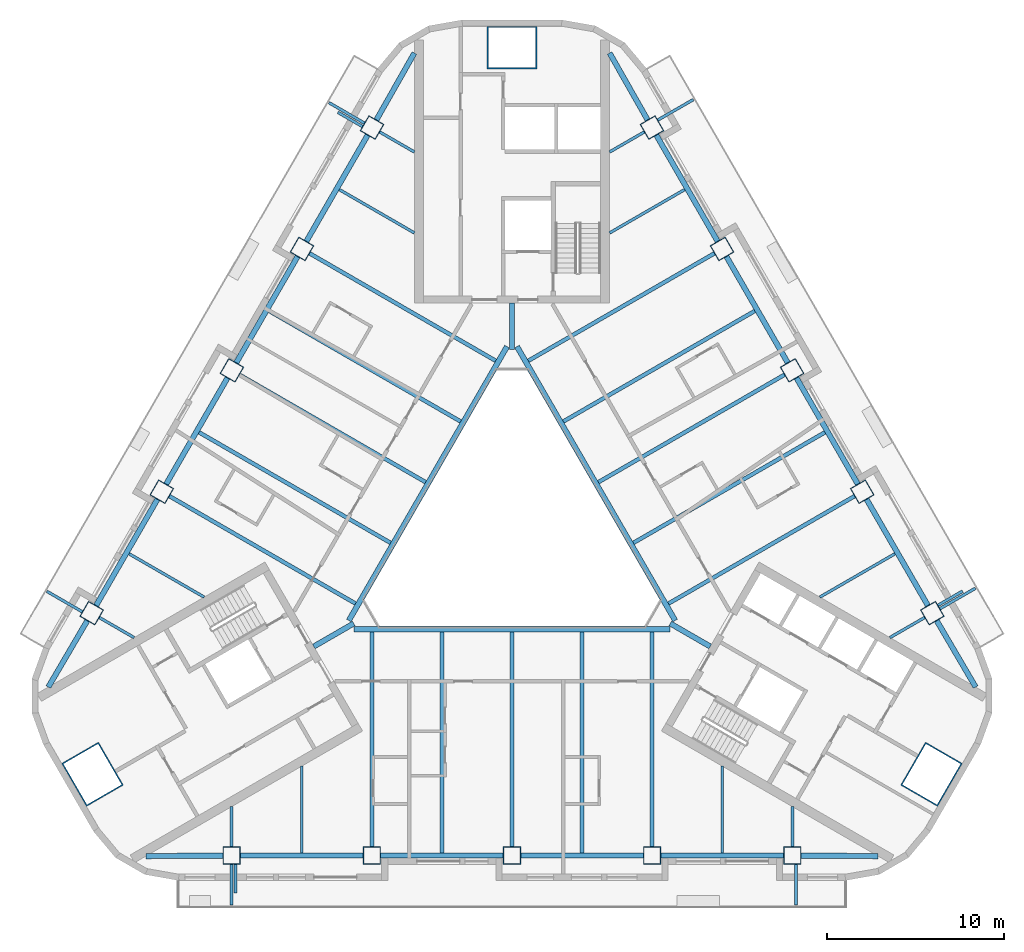
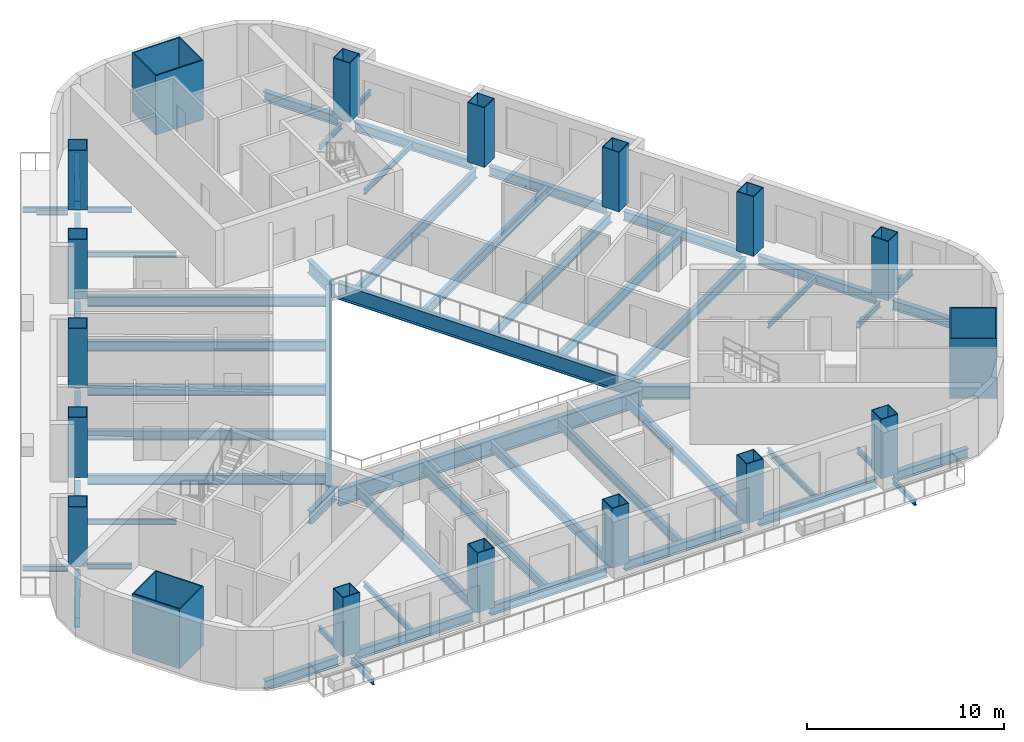
# One storey, part 1 of 13: 60 beams, 18 columns.
"""IFC4 building model written with IfcOpenShell, lengths in metres."""

from ifc_helpers import new_model, si_unit, direction, frame, origin, origin_2d, place, context, subcontext, project, spatial, rectangle, hollow_rectangle, i_section, extrude, material, material_profile, profile_set, type_object, element, save


model = new_model("IFC4")

# Units and contexts
model_context = context("Model", 3, precision=1e-05, world=origin(), true_north=direction((0.0, 1.0)))
body_context = subcontext(model_context, "Body", "Model", "MODEL_VIEW")
ifc_project = project(units=[si_unit("LENGTHUNIT", "METRE"), si_unit("AREAUNIT", "SQUARE_METRE"), si_unit("VOLUMEUNIT", "CUBIC_METRE"), si_unit("PLANEANGLEUNIT", "RADIAN"), si_unit("MASSUNIT", "GRAM", prefix="KILO")], contexts=[model_context])

# Site, building, storey
site_placement = place(None, origin())
site = spatial("IfcSite", under=ifc_project, at=site_placement, CompositionType="ELEMENT")
building_placement = place(site_placement, origin())
building = spatial("IfcBuilding", under=site, at=building_placement, Name="Apuvela Tower Hotel", CompositionType="ELEMENT")
storey_placement = place(building_placement, frame((0.0, 0.0, 57.60009765625)))
storey = spatial("IfcBuildingStorey", under=building, at=storey_placement, Name="L11", CompositionType="ELEMENT", Elevation=57.60009765625)

# Columns
ifc_material_1 = material(Name="Steel S460", Category="steel")
ifc_material_profile_1 = material_profile(ifc_material_1, hollow_rectangle(XDim=2.800048828125, YDim=2.39990234375, WallThickness=0.070068359375, at=origin_2d()), Name="BOX 2800x2400x70")
ifc_material_2 = material(Name="Concrete C80/95", Category="concrete")
ifc_material_profile_2 = material_profile(ifc_material_2, rectangle(XDim=2.659912109375, YDim=2.260009765625, at=origin_2d()), Name="Concrete C80/95 infill")
ifc_profile_set_1 = profile_set([ifc_material_profile_1, ifc_material_profile_2], Name="Steel S460")
column_type_1 = type_object("IfcColumnType", Name="STR-MC mega column BOX 2800x2400x70", PredefinedType="COLUMN", material=ifc_profile_set_1)
for number, where, z_axis, x_axis, name in (
    (1, (0.0, 27.300048828125, 0.0), (0.0, 0.0, 1.0), (1.0, 0.0, 0.0), "Mega column MC2 N"),
    (2, (-23.642578125, -13.64990234375, 0.0), (0.0, 0.0, 1.0), (-0.5, 0.866025403784, 0.0), "Mega column MC2 SW"),
    (3, (23.642578125, -13.64990234375, 0.0), (0.0, 0.0, 1.0), (0.5, 0.866025403784, 0.0), "Mega column MC2 SE"),
):
    element("IfcColumn", number, at=place(storey_placement, frame(where, z_axis=z_axis, x_axis=x_axis)), inside=storey, type_object=column_type_1, Name=name, PredefinedType="COLUMN", context=body_context, shape_type="SweptSolid", body=[
        extrude(hollow_rectangle(XDim=2.800048828125, YDim=2.39990234375, WallThickness=0.070068359375, at=origin_2d()), origin(), (0.0, 0.0, 1.0), 3.699951171875),
    ])
ifc_material_profile_3 = material_profile(ifc_material_1, hollow_rectangle(XDim=1.0, YDim=1.0, WallThickness=0.044921875, at=origin_2d()), Name="BOX 1000x1000x45")
ifc_material_profile_4 = material_profile(ifc_material_2, rectangle(XDim=0.909912109375, YDim=0.909912109375, at=origin_2d()), Name="Concrete C80/95 infill")
ifc_profile_set_2 = profile_set([ifc_material_profile_3, ifc_material_profile_4], Name="Steel S460")
column_type_2 = type_object("IfcColumnType", Name="STR-PC perimeter column BOX 1000x1000x45", PredefinedType="COLUMN", material=ifc_profile_set_2)
for number, where, z_axis, x_axis, name in (
    (4, (-15.800048828125, -18.22998046875, 0.0), (0.0, 0.0, 1.0), (-1.0, 0.0, 0.0), "Perimeter column C2 S1"),
    (5, (-7.89990234375, -18.22998046875, 0.0), (0.0, 0.0, 1.0), (-1.0, 0.0, 0.0), "Perimeter column C2 S2"),
    (6, (0.0, -18.22998046875, 0.0), (0.0, 0.0, 1.0), (-1.0, 0.0, 0.0), "Perimeter column C2 S3"),
    (7, (7.89990234375, -18.22998046875, 0.0), (0.0, 0.0, 1.0), (-1.0, 0.0, 0.0), "Perimeter column C2 S4"),
    (8, (15.800048828125, -18.22998046875, 0.0), (0.0, 0.0, 1.0), (-1.0, 0.0, 0.0), "Perimeter column C2 S5"),
    (9, (23.6875, -4.568115234375, 0.0), (0.0, 0.0, 1.0), (-0.5, 0.866025403784, 0.0), "Perimeter column C2 NE1"),
    (10, (19.737548828125, 2.2734375, 0.0), (0.0, 0.0, 1.0), (-0.5, 0.866025403784, 0.0), "Perimeter column C2 NE2"),
    (11, (15.78759765625, 9.114990234375, 0.0), (0.0, 0.0, 1.0), (-0.5, 0.866025403784, 0.0), "Perimeter column C2 NE3"),
    (12, (11.837646484375, 15.95654296875, 0.0), (0.0, 0.0, 1.0), (-0.5, 0.866025403784, 0.0), "Perimeter column C2 NE4"),
    (13, (7.8876953125, 22.798095703125, 0.0), (0.0, 0.0, 1.0), (-0.5, 0.866025403784, 0.0), "Perimeter column C2 NE5"),
    (14, (-7.8876953125, 22.798095703125, 0.0), (0.0, 0.0, 1.0), (0.5, 0.866025403784, 0.0), "Perimeter column C2 NW1"),
    (15, (-11.837646484375, 15.95654296875, 0.0), (0.0, 0.0, 1.0), (0.5, 0.866025403784, 0.0), "Perimeter column C2 NW2"),
    (16, (-15.78759765625, 9.114990234375, 0.0), (0.0, 0.0, 1.0), (0.5, 0.866025403784, 0.0), "Perimeter column C2 NW3"),
    (17, (-19.737548828125, 2.2734375, 0.0), (0.0, 0.0, 1.0), (0.5, 0.866025403784, 0.0), "Perimeter column C2 NW4"),
    (18, (-23.6875, -4.568115234375, 0.0), (0.0, 0.0, 1.0), (0.5, 0.866025403784, 0.0), "Perimeter column C2 NW5"),
):
    element("IfcColumn", number, at=place(storey_placement, frame(where, z_axis=z_axis, x_axis=x_axis)), inside=storey, type_object=column_type_2, Name=name, PredefinedType="COLUMN", context=body_context, shape_type="SweptSolid", body=[
        extrude(hollow_rectangle(XDim=1.0, YDim=1.0, WallThickness=0.044921875, at=origin_2d()), origin(), (0.0, 0.0, 1.0), 3.699951171875),
    ])

# Beams
ifc_material_3 = material(Name="Steel S355", Category="steel")
ifc_material_profile_5 = material_profile(ifc_material_3, i_section(OverallWidth=0.159912109375, OverallDepth=0.330078125, WebThickness=0.007568359375, FlangeThickness=0.011474609375, at=origin_2d()), Name="IPE 330")
ifc_profile_set_3 = profile_set([ifc_material_profile_5], Name="Steel S355")
beam_type_1 = type_object("IfcBeamType", Name="ENV-BALCONY-BEAM-IPE330", PredefinedType="BEAM", material=ifc_profile_set_3)
beam_1_placement = place(storey_placement, frame((-15.800048828125, -18.72998046875, -0.315185546875), z_axis=(0.0, -1.0, 0.0), x_axis=(1.0, 0.0, 0.0)))
element("IfcBeam", 19, at=beam_1_placement, inside=storey, type_object=beam_type_1, Name="Balcony cantilever beam S1 L11", PredefinedType="BEAM", context=body_context, shape_type="SweptSolid", body=[
    extrude(i_section(OverallWidth=0.159912109375, OverallDepth=0.330078125, WebThickness=0.007568359375, FlangeThickness=0.011474609375, at=origin_2d()), origin(), (0.0, 0.0, 1.0), 2.300048828125),
])
beam_2_placement = place(storey_placement, frame((-15.580078125, -18.72998046875, -0.315185546875), z_axis=(0.0, -1.0, 0.0), x_axis=(1.0, 0.0, 0.0)))
element("IfcBeam", 20, at=beam_2_placement, inside=storey, type_object=beam_type_1, Name="Balcony cantilever beam S2 L11", PredefinedType="BEAM", context=body_context, shape_type="SweptSolid", body=[
    extrude(i_section(OverallWidth=0.159912109375, OverallDepth=0.330078125, WebThickness=0.007568359375, FlangeThickness=0.011474609375, at=origin_2d()), origin(), (0.0, 0.0, 1.0), 1.60009765625),
])
for number, where, z_axis, x_axis, name in (
    (21, (16.0, -18.72998046875, -0.315185546875), (0.0, -1.0, 0.0), (1.0, 0.0, 0.0), "Balcony cantilever beam S3 L11"),
    (22, (24.12060546875, -4.318115234375, -0.315185546875), (0.866053019151, 0.499952165731, 0.0), (-0.499952165731, 0.866053019151, 0.0), "Balcony cantilever beam NE1 L11"),
):
    element("IfcBeam", number, at=place(storey_placement, frame(where, z_axis=z_axis, x_axis=x_axis)), inside=storey, type_object=beam_type_1, Name=name, PredefinedType="BEAM", context=body_context, shape_type="SweptSolid", body=[
        extrude(i_section(OverallWidth=0.159912109375, OverallDepth=0.330078125, WebThickness=0.007568359375, FlangeThickness=0.011474609375, at=origin_2d()), origin(), (0.0, 0.0, 1.0), 2.300048828125),
    ])
beam_3_placement = place(storey_placement, frame((24.0107421875, -4.127685546875, -0.315185546875), z_axis=(0.865989903783, 0.500061482766, 0.0), x_axis=(-0.500061482766, 0.865989903783, 0.0)))
element("IfcBeam", 23, at=beam_3_placement, inside=storey, type_object=beam_type_1, Name="Balcony cantilever beam NE2 L11", PredefinedType="BEAM", context=body_context, shape_type="SweptSolid", body=[
    extrude(i_section(OverallWidth=0.159912109375, OverallDepth=0.330078125, WebThickness=0.007568359375, FlangeThickness=0.011474609375, at=origin_2d()), origin(), (0.0, 0.0, 1.0), 1.599853515625),
])
beam_4_placement = place(storey_placement, frame((8.220703125, 23.221435546875, -0.315185546875), z_axis=(0.86602648383, 0.499998129301, 0.0), x_axis=(-0.499998129301, 0.86602648383, 0.0)))
element("IfcBeam", 24, at=beam_4_placement, inside=storey, type_object=beam_type_1, Name="Balcony cantilever beam NE3 L11", PredefinedType="BEAM", context=body_context, shape_type="SweptSolid", body=[
    extrude(i_section(OverallWidth=0.159912109375, OverallDepth=0.330078125, WebThickness=0.007568359375, FlangeThickness=0.011474609375, at=origin_2d()), origin(), (0.0, 0.0, 1.0), 2.2998046875),
])
beam_5_placement = place(storey_placement, frame((-8.32080078125, 23.048095703125, -0.315185546875), z_axis=(-0.865980515519, 0.500077740698, 0.0), x_axis=(-0.500077740698, -0.865980515519, 0.0)))
element("IfcBeam", 25, at=beam_5_placement, inside=storey, type_object=beam_type_1, Name="Balcony cantilever beam NW1 L11", PredefinedType="BEAM", context=body_context, shape_type="SweptSolid", body=[
    extrude(i_section(OverallWidth=0.159912109375, OverallDepth=0.330078125, WebThickness=0.007568359375, FlangeThickness=0.011474609375, at=origin_2d()), origin(), (0.0, 0.0, 1.0), 2.300048828125),
])
beam_6_placement = place(storey_placement, frame((-8.4306640625, 22.857666015625, -0.315185546875), z_axis=(-0.866028054938, 0.499995408039, 0.0), x_axis=(-0.499995408039, -0.866028054938, 0.0)))
element("IfcBeam", 26, at=beam_6_placement, inside=storey, type_object=beam_type_1, Name="Balcony cantilever beam NW2 L11", PredefinedType="BEAM", context=body_context, shape_type="SweptSolid", body=[
    extrude(i_section(OverallWidth=0.159912109375, OverallDepth=0.330078125, WebThickness=0.007568359375, FlangeThickness=0.011474609375, at=origin_2d()), origin(), (0.0, 0.0, 1.0), 1.60009765625),
])
beam_7_placement = place(storey_placement, frame((-24.220703125, -4.491455078125, -0.315185546875), z_axis=(-0.865980515519, 0.500077740698, 0.0), x_axis=(-0.500077740698, -0.865980515519, 0.0)))
element("IfcBeam", 27, at=beam_7_placement, inside=storey, type_object=beam_type_1, Name="Balcony cantilever beam NW3 L11", PredefinedType="BEAM", context=body_context, shape_type="SweptSolid", body=[
    extrude(i_section(OverallWidth=0.159912109375, OverallDepth=0.330078125, WebThickness=0.007568359375, FlangeThickness=0.011474609375, at=origin_2d()), origin(), (0.0, 0.0, 1.0), 2.300048828125),
])
ifc_material_profile_6 = material_profile(ifc_material_3, i_section(OverallWidth=0.159912109375, OverallDepth=0.330078125, WebThickness=0.007568359375, FlangeThickness=0.011474609375, at=origin_2d()), Name="IPE 330")
ifc_profile_set_4 = profile_set([ifc_material_profile_6], Name="Steel S355")
beam_type_2 = type_object("IfcBeamType", Name="STR-B floor beam IPE 330", PredefinedType="BEAM", material=ifc_profile_set_4)
beam_8_placement = place(storey_placement, frame((23.254638671875, -4.818115234375, -0.315185546875), z_axis=(-0.865991034588, -0.500059524469, 0.0), x_axis=(0.500059524469, -0.865991034588, 0.0)))
element("IfcBeam", 28, at=beam_8_placement, inside=storey, type_object=beam_type_2, Name="Floor beam B1 NE1", PredefinedType="BEAM", context=body_context, shape_type="SweptSolid", body=[
    extrude(i_section(OverallWidth=0.159912109375, OverallDepth=0.330078125, WebThickness=0.007568359375, FlangeThickness=0.011474609375, at=origin_2d()), origin(), (0.0, 0.0, 1.0), 2.257080078125),
])
for number, where, z_axis, x_axis, name in (
    (29, (21.582763671875, -1.222412109375, -0.315185546875), (-0.866015056278, -0.500017921979, 0.0), (0.500017921979, -0.866015056278, 0.0), "Floor beam B1 NE2"),
    (30, (9.732666015625, 19.302490234375, -0.315185546875), (-0.866015056278, -0.500017921979, 0.0), (0.500017921979, -0.866015056278, 0.0), "Floor beam B1 NE8"),
):
    element("IfcBeam", number, at=place(storey_placement, frame(where, z_axis=z_axis, x_axis=x_axis)), inside=storey, type_object=beam_type_2, Name=name, PredefinedType="BEAM", context=body_context, shape_type="SweptSolid", body=[
        extrude(i_section(OverallWidth=0.159912109375, OverallDepth=0.330078125, WebThickness=0.007568359375, FlangeThickness=0.011474609375, at=origin_2d()), origin(), (0.0, 0.0, 1.0), 4.887451171875),
    ])
for number, where, z_axis, x_axis, name in (
    (31, (7.45458984375, 22.548095703125, -0.315185546875), (-0.86603787505, -0.499978398512, 0.0), (0.499978398512, -0.86603787505, 0.0), "Floor beam B1 NE9"),
    (32, (-7.45458984375, 22.548095703125, -0.315185546875), (0.86603787505, -0.499978398512, 0.0), (0.499978398512, 0.86603787505, 0.0), "Floor beam B1 NW1"),
):
    element("IfcBeam", number, at=place(storey_placement, frame(where, z_axis=z_axis, x_axis=x_axis)), inside=storey, type_object=beam_type_2, Name=name, PredefinedType="BEAM", context=body_context, shape_type="SweptSolid", body=[
        extrude(i_section(OverallWidth=0.159912109375, OverallDepth=0.330078125, WebThickness=0.007568359375, FlangeThickness=0.011474609375, at=origin_2d()), origin(), (0.0, 0.0, 1.0), 2.2568359375),
    ])
for number, where, z_axis, x_axis, name in (
    (33, (-9.732666015625, 19.302490234375, -0.315185546875), (0.866015056278, -0.500017921979, 0.0), (0.500017921979, 0.866015056278, 0.0), "Floor beam B1 NW2"),
    (34, (-21.582763671875, -1.222412109375, -0.315185546875), (0.866015056278, -0.500017921979, 0.0), (0.500017921979, 0.866015056278, 0.0), "Floor beam B1 NW8"),
):
    element("IfcBeam", number, at=place(storey_placement, frame(where, z_axis=z_axis, x_axis=x_axis)), inside=storey, type_object=beam_type_2, Name=name, PredefinedType="BEAM", context=body_context, shape_type="SweptSolid", body=[
        extrude(i_section(OverallWidth=0.159912109375, OverallDepth=0.330078125, WebThickness=0.007568359375, FlangeThickness=0.011474609375, at=origin_2d()), origin(), (0.0, 0.0, 1.0), 4.887451171875),
    ])
for number, where, z_axis, x_axis, name in (
    (35, (-23.254638671875, -4.818115234375, -0.315185546875), (0.865991034588, -0.500059524469, 0.0), (0.500059524469, 0.865991034588, 0.0), "Floor beam B1 NW9"),
    (36, (-15.800048828125, -17.72998046875, -0.315185546875), (0.0, 1.0, 0.0), (-1.0, 0.0, 0.0), "Floor beam B1 S1"),
):
    element("IfcBeam", number, at=place(storey_placement, frame(where, z_axis=z_axis, x_axis=x_axis)), inside=storey, type_object=beam_type_2, Name=name, PredefinedType="BEAM", context=body_context, shape_type="SweptSolid", body=[
        extrude(i_section(OverallWidth=0.159912109375, OverallDepth=0.330078125, WebThickness=0.007568359375, FlangeThickness=0.011474609375, at=origin_2d()), origin(), (0.0, 0.0, 1.0), 2.257080078125),
    ])
for number, where, z_axis, x_axis, name in (
    (37, (-11.85009765625, -18.080078125, -0.315185546875), (0.0, 1.0, 0.0), (-1.0, 0.0, 0.0), "Floor beam B1 S2"),
    (38, (11.85009765625, -18.080078125, -0.315185546875), (0.0, 1.0, 0.0), (-1.0, 0.0, 0.0), "Floor beam B1 S8"),
):
    element("IfcBeam", number, at=place(storey_placement, frame(where, z_axis=z_axis, x_axis=x_axis)), inside=storey, type_object=beam_type_2, Name=name, PredefinedType="BEAM", context=body_context, shape_type="SweptSolid", body=[
        extrude(i_section(OverallWidth=0.159912109375, OverallDepth=0.330078125, WebThickness=0.007568359375, FlangeThickness=0.011474609375, at=origin_2d()), origin(), (0.0, 0.0, 1.0), 4.8876953125),
    ])
beam_9_placement = place(storey_placement, frame((15.800048828125, -17.72998046875, -0.315185546875), z_axis=(0.0, 1.0, 0.0), x_axis=(-1.0, 0.0, 0.0)))
element("IfcBeam", 39, at=beam_9_placement, inside=storey, type_object=beam_type_2, Name="Floor beam B1 S9", PredefinedType="BEAM", context=body_context, shape_type="SweptSolid", body=[
    extrude(i_section(OverallWidth=0.159912109375, OverallDepth=0.330078125, WebThickness=0.007568359375, FlangeThickness=0.011474609375, at=origin_2d()), origin(), (0.0, 0.0, 1.0), 2.257080078125),
])
ifc_material_profile_7 = material_profile(ifc_material_3, i_section(OverallWidth=0.219970703125, OverallDepth=0.60009765625, WebThickness=0.011962890625, FlangeThickness=0.01904296875, at=origin_2d()), Name="IPE 600")
ifc_profile_set_5 = profile_set([ifc_material_profile_7], Name="Steel S355")
beam_type_3 = type_object("IfcBeamType", Name="STR-B floor beam IPE 600", PredefinedType="BEAM", material=ifc_profile_set_5)
beam_10_placement = place(storey_placement, frame((19.3046875, 2.0234375, -0.4501953125), z_axis=(-0.866027098151, -0.499997065259, 0.0), x_axis=(0.499997065259, -0.866027098151, 0.0)))
element("IfcBeam", 40, at=beam_10_placement, inside=storey, type_object=beam_type_3, Name="Floor beam B8 NE3", PredefinedType="BEAM", context=body_context, shape_type="SweptSolid", body=[
    extrude(i_section(OverallWidth=0.219970703125, OverallDepth=0.60009765625, WebThickness=0.011962890625, FlangeThickness=0.01904296875, at=origin_2d()), origin(), (0.0, 0.0, 1.0), 12.10791015625),
])
beam_11_placement = place(storey_placement, frame((17.6328125, 5.619140625, -0.4501953125), z_axis=(-0.866027636335, -0.499996133089, 0.0), x_axis=(0.499996133089, -0.866027636335, 0.0)))
element("IfcBeam", 41, at=beam_11_placement, inside=storey, type_object=beam_type_3, Name="Floor beam B8 NE4", PredefinedType="BEAM", context=body_context, shape_type="SweptSolid", body=[
    extrude(i_section(OverallWidth=0.219970703125, OverallDepth=0.60009765625, WebThickness=0.011962890625, FlangeThickness=0.01904296875, at=origin_2d()), origin(), (0.0, 0.0, 1.0), 12.4580078125),
])
beam_12_placement = place(storey_placement, frame((15.3544921875, 8.864990234375, -0.4501953125), z_axis=(-0.866022057176, -0.500005796451, 0.0), x_axis=(0.500005796451, -0.866022057176, 0.0)))
element("IfcBeam", 42, at=beam_12_placement, inside=storey, type_object=beam_type_3, Name="Floor beam B8 NE5", PredefinedType="BEAM", context=body_context, shape_type="SweptSolid", body=[
    extrude(i_section(OverallWidth=0.219970703125, OverallDepth=0.60009765625, WebThickness=0.011962890625, FlangeThickness=0.01904296875, at=origin_2d()), origin(), (0.0, 0.0, 1.0), 12.107666015625),
])
beam_13_placement = place(storey_placement, frame((13.6826171875, 12.460693359375, -0.4501953125), z_axis=(-0.866022737053, -0.500004618886, 0.0), x_axis=(0.500004618886, -0.866022737053, 0.0)))
element("IfcBeam", 43, at=beam_13_placement, inside=storey, type_object=beam_type_3, Name="Floor beam B8 NE6", PredefinedType="BEAM", context=body_context, shape_type="SweptSolid", body=[
    extrude(i_section(OverallWidth=0.219970703125, OverallDepth=0.60009765625, WebThickness=0.011962890625, FlangeThickness=0.01904296875, at=origin_2d()), origin(), (0.0, 0.0, 1.0), 12.4580078125),
])
for number, where, z_axis, x_axis, name in (
    (44, (11.404541015625, 15.70654296875, -0.4501953125), (-0.866027098151, -0.499997065259, 0.0), (0.499997065259, -0.866027098151, 0.0), "Floor beam B8 NE7"),
    (45, (-11.404541015625, 15.70654296875, -0.4501953125), (0.866027098151, -0.499997065259, 0.0), (0.499997065259, 0.866027098151, 0.0), "Floor beam B8 NW3"),
):
    element("IfcBeam", number, at=place(storey_placement, frame(where, z_axis=z_axis, x_axis=x_axis)), inside=storey, type_object=beam_type_3, Name=name, PredefinedType="BEAM", context=body_context, shape_type="SweptSolid", body=[
        extrude(i_section(OverallWidth=0.219970703125, OverallDepth=0.60009765625, WebThickness=0.011962890625, FlangeThickness=0.01904296875, at=origin_2d()), origin(), (0.0, 0.0, 1.0), 12.10791015625),
    ])
beam_14_placement = place(storey_placement, frame((-13.6826171875, 12.460693359375, -0.4501953125), z_axis=(0.866022737053, -0.500004618886, 0.0), x_axis=(0.500004618886, 0.866022737053, 0.0)))
element("IfcBeam", 46, at=beam_14_placement, inside=storey, type_object=beam_type_3, Name="Floor beam B8 NW4", PredefinedType="BEAM", context=body_context, shape_type="SweptSolid", body=[
    extrude(i_section(OverallWidth=0.219970703125, OverallDepth=0.60009765625, WebThickness=0.011962890625, FlangeThickness=0.01904296875, at=origin_2d()), origin(), (0.0, 0.0, 1.0), 12.4580078125),
])
beam_15_placement = place(storey_placement, frame((-15.3544921875, 8.864990234375, -0.4501953125), z_axis=(0.866022057176, -0.500005796451, 0.0), x_axis=(0.500005796451, 0.866022057176, 0.0)))
element("IfcBeam", 47, at=beam_15_placement, inside=storey, type_object=beam_type_3, Name="Floor beam B8 NW5", PredefinedType="BEAM", context=body_context, shape_type="SweptSolid", body=[
    extrude(i_section(OverallWidth=0.219970703125, OverallDepth=0.60009765625, WebThickness=0.011962890625, FlangeThickness=0.01904296875, at=origin_2d()), origin(), (0.0, 0.0, 1.0), 12.107666015625),
])
beam_16_placement = place(storey_placement, frame((-17.6328125, 5.619140625, -0.4501953125), z_axis=(0.866027636335, -0.499996133089, 0.0), x_axis=(0.499996133089, 0.866027636335, 0.0)))
element("IfcBeam", 48, at=beam_16_placement, inside=storey, type_object=beam_type_3, Name="Floor beam B8 NW6", PredefinedType="BEAM", context=body_context, shape_type="SweptSolid", body=[
    extrude(i_section(OverallWidth=0.219970703125, OverallDepth=0.60009765625, WebThickness=0.011962890625, FlangeThickness=0.01904296875, at=origin_2d()), origin(), (0.0, 0.0, 1.0), 12.4580078125),
])
for number, where, z_axis, x_axis, name in (
    (49, (-19.3046875, 2.0234375, -0.4501953125), (0.866027098151, -0.499997065259, 0.0), (0.499997065259, 0.866027098151, 0.0), "Floor beam B8 NW7"),
    (50, (-7.89990234375, -17.72998046875, -0.4501953125), (0.0, 1.0, 0.0), (-1.0, 0.0, 0.0), "Floor beam B8 S3"),
):
    element("IfcBeam", number, at=place(storey_placement, frame(where, z_axis=z_axis, x_axis=x_axis)), inside=storey, type_object=beam_type_3, Name=name, PredefinedType="BEAM", context=body_context, shape_type="SweptSolid", body=[
        extrude(i_section(OverallWidth=0.219970703125, OverallDepth=0.60009765625, WebThickness=0.011962890625, FlangeThickness=0.01904296875, at=origin_2d()), origin(), (0.0, 0.0, 1.0), 12.10791015625),
    ])
beam_17_placement = place(storey_placement, frame((-3.949951171875, -18.080078125, -0.4501953125), z_axis=(0.0, 1.0, 0.0), x_axis=(-1.0, 0.0, 0.0)))
element("IfcBeam", 51, at=beam_17_placement, inside=storey, type_object=beam_type_3, Name="Floor beam B8 S4", PredefinedType="BEAM", context=body_context, shape_type="SweptSolid", body=[
    extrude(i_section(OverallWidth=0.219970703125, OverallDepth=0.60009765625, WebThickness=0.011962890625, FlangeThickness=0.01904296875, at=origin_2d()), origin(), (0.0, 0.0, 1.0), 12.4580078125),
])
beam_18_placement = place(storey_placement, frame((0.0, -17.72998046875, -0.4501953125), z_axis=(0.0, 1.0, 0.0), x_axis=(-1.0, 0.0, 0.0)))
element("IfcBeam", 52, at=beam_18_placement, inside=storey, type_object=beam_type_3, Name="Floor beam B8 S5", PredefinedType="BEAM", context=body_context, shape_type="SweptSolid", body=[
    extrude(i_section(OverallWidth=0.219970703125, OverallDepth=0.60009765625, WebThickness=0.011962890625, FlangeThickness=0.01904296875, at=origin_2d()), origin(), (0.0, 0.0, 1.0), 12.10791015625),
])
beam_19_placement = place(storey_placement, frame((3.949951171875, -18.080078125, -0.4501953125), z_axis=(0.0, 1.0, 0.0), x_axis=(-1.0, 0.0, 0.0)))
element("IfcBeam", 53, at=beam_19_placement, inside=storey, type_object=beam_type_3, Name="Floor beam B8 S6", PredefinedType="BEAM", context=body_context, shape_type="SweptSolid", body=[
    extrude(i_section(OverallWidth=0.219970703125, OverallDepth=0.60009765625, WebThickness=0.011962890625, FlangeThickness=0.01904296875, at=origin_2d()), origin(), (0.0, 0.0, 1.0), 12.4580078125),
])
beam_20_placement = place(storey_placement, frame((7.89990234375, -17.72998046875, -0.4501953125), z_axis=(0.0, 1.0, 0.0), x_axis=(-1.0, 0.0, 0.0)))
element("IfcBeam", 54, at=beam_20_placement, inside=storey, type_object=beam_type_3, Name="Floor beam B8 S7", PredefinedType="BEAM", context=body_context, shape_type="SweptSolid", body=[
    extrude(i_section(OverallWidth=0.219970703125, OverallDepth=0.60009765625, WebThickness=0.011962890625, FlangeThickness=0.01904296875, at=origin_2d()), origin(), (0.0, 0.0, 1.0), 12.10791015625),
])
ifc_material_profile_8 = material_profile(ifc_material_3, i_section(OverallWidth=0.302001953125, OverallDepth=1.008056640625, WebThickness=0.02099609375, FlangeThickness=0.0400390625, at=origin_2d()), Name="HE 1000 M")
ifc_profile_set_6 = profile_set([ifc_material_profile_8], Name="Steel S355")
beam_type_4 = type_object("IfcBeamType", Name="STR-G atrium ring girder HE 1000 M", PredefinedType="BEAM", material=ifc_profile_set_6)
for number, where, z_axis, x_axis, name in (
    (55, (-0.28076171875, 10.455810546875, -0.654052734375), (-0.500000611842, -0.866025050537, 0.0), (0.866025050537, -0.500000611842, 0.0), "Atrium ring girder G1 N-SW"),
    (56, (-8.91455078125, -5.470947265625, -0.654052734375), (1.0, 0.0, 0.0), (0.0, 1.0, 0.0), "Atrium ring girder G1 SW-SE"),
    (57, (9.1953125, -4.984619140625, -0.654052734375), (-0.500000611842, 0.866025050537, 0.0), (-0.866025050537, -0.500000611842, 0.0), "Atrium ring girder G1 SE-N"),
):
    element("IfcBeam", number, at=place(storey_placement, frame(where, z_axis=z_axis, x_axis=x_axis)), inside=storey, type_object=beam_type_4, Name=name, PredefinedType="BEAM", context=body_context, shape_type="SweptSolid", body=[
        extrude(i_section(OverallWidth=0.302001953125, OverallDepth=1.008056640625, WebThickness=0.02099609375, FlangeThickness=0.0400390625, at=origin_2d()), origin(), (0.0, 0.0, 1.0), 17.8291015625),
    ])
ifc_material_profile_9 = material_profile(ifc_material_3, i_section(OverallWidth=0.300048828125, OverallDepth=0.800048828125, WebThickness=0.017578125, FlangeThickness=0.032958984375, at=origin_2d()), Name="HE 800 B")
ifc_profile_set_7 = profile_set([ifc_material_profile_9], Name="Steel S355")
beam_type_5 = type_object("IfcBeamType", Name="STR-GT core tie beam HE 800 B", PredefinedType="BEAM", material=ifc_profile_set_7)
for number, where, z_axis, x_axis, name in (
    (58, (0.0, 12.89990234375, -0.550048828125), (0.0, -1.0, 0.0), (1.0, 0.0, 0.0), "Core tie beam GT1 N"),
    (59, (-11.171630859375, -6.449951171875, -0.550048828125), (0.865997922154, 0.500047596559, 0.0), (-0.500047596559, 0.865997922154, 0.0), "Core tie beam GT1 SW"),
    (60, (11.171630859375, -6.449951171875, -0.550048828125), (-0.865997922154, 0.500047596559, 0.0), (-0.500047596559, -0.865997922154, 0.0), "Core tie beam GT1 SE"),
):
    element("IfcBeam", number, at=place(storey_placement, frame(where, z_axis=z_axis, x_axis=x_axis)), inside=storey, type_object=beam_type_5, Name=name, PredefinedType="BEAM", context=body_context, shape_type="SweptSolid", body=[
        extrude(i_section(OverallWidth=0.300048828125, OverallDepth=0.800048828125, WebThickness=0.017578125, FlangeThickness=0.032958984375, at=origin_2d()), origin(), (0.0, 0.0, 1.0), 2.599853515625),
    ])
ifc_material_profile_10 = material_profile(ifc_material_3, i_section(OverallWidth=0.300048828125, OverallDepth=0.590087890625, WebThickness=0.012939453125, FlangeThickness=0.02490234375, at=origin_2d()), Name="HE 600 A")
ifc_profile_set_8 = profile_set([ifc_material_profile_10], Name="Steel S355")
beam_type_6 = type_object("IfcBeamType", Name="STR-SB spandrel beam HE 600 A", PredefinedType="SPANDREL", material=ifc_profile_set_8)
beam_21_placement = place(storey_placement, frame((-15.300048828125, -18.22998046875, -0.445068359375), z_axis=(1.0, 0.0, 0.0), x_axis=(0.0, 1.0, 0.0)))
element("IfcBeam", 61, at=beam_21_placement, inside=storey, type_object=beam_type_6, Name="Spandrel beam SB2 S1", PredefinedType="SPANDREL", context=body_context, shape_type="SweptSolid", body=[
    extrude(i_section(OverallWidth=0.300048828125, OverallDepth=0.590087890625, WebThickness=0.012939453125, FlangeThickness=0.02490234375, at=origin_2d()), origin(), (0.0, 0.0, 1.0), 6.900146484375),
])
for number, where, z_axis, x_axis, name in (
    (62, (-7.39990234375, -18.22998046875, -0.445068359375), (1.0, 0.0, 0.0), (0.0, 1.0, 0.0), "Spandrel beam SB2 S2"),
    (63, (0.5, -18.22998046875, -0.445068359375), (1.0, 0.0, 0.0), (0.0, 1.0, 0.0), "Spandrel beam SB2 S3"),
):
    element("IfcBeam", number, at=place(storey_placement, frame(where, z_axis=z_axis, x_axis=x_axis)), inside=storey, type_object=beam_type_6, Name=name, PredefinedType="SPANDREL", context=body_context, shape_type="SweptSolid", body=[
        extrude(i_section(OverallWidth=0.300048828125, OverallDepth=0.590087890625, WebThickness=0.012939453125, FlangeThickness=0.02490234375, at=origin_2d()), origin(), (0.0, 0.0, 1.0), 6.89990234375),
    ])
beam_22_placement = place(storey_placement, frame((8.39990234375, -18.22998046875, -0.445068359375), z_axis=(1.0, 0.0, 0.0), x_axis=(0.0, 1.0, 0.0)))
element("IfcBeam", 64, at=beam_22_placement, inside=storey, type_object=beam_type_6, Name="Spandrel beam SB2 S4", PredefinedType="SPANDREL", context=body_context, shape_type="SweptSolid", body=[
    extrude(i_section(OverallWidth=0.300048828125, OverallDepth=0.590087890625, WebThickness=0.012939453125, FlangeThickness=0.02490234375, at=origin_2d()), origin(), (0.0, 0.0, 1.0), 6.900146484375),
])
for number, where, z_axis, x_axis, name in (
    (65, (23.4375, -4.13525390625, -0.445068359375), (-0.499994024137, 0.866028853923, 0.0), (-0.866028853923, -0.499994024137, 0.0), "Spandrel beam SB2 NE1"),
    (66, (19.487548828125, 2.706298828125, -0.445068359375), (-0.499994024137, 0.866028853923, 0.0), (-0.866028853923, -0.499994024137, 0.0), "Spandrel beam SB2 NE2"),
    (67, (15.53759765625, 9.548095703125, -0.445068359375), (-0.499994024137, 0.866028853923, 0.0), (-0.866028853923, -0.499994024137, 0.0), "Spandrel beam SB2 NE3"),
    (68, (11.587646484375, 16.3896484375, -0.445068359375), (-0.499994024137, 0.866028853923, 0.0), (-0.866028853923, -0.499994024137, 0.0), "Spandrel beam SB2 NE4"),
    (69, (-8.1376953125, 22.365234375, -0.445068359375), (-0.499994024137, -0.866028853923, 0.0), (0.866028853923, -0.499994024137, 0.0), "Spandrel beam SB2 NW1"),
    (70, (-12.087646484375, 15.523681640625, -0.445068359375), (-0.499994024137, -0.866028853923, 0.0), (0.866028853923, -0.499994024137, 0.0), "Spandrel beam SB2 NW2"),
    (71, (-16.03759765625, 8.681884765625, -0.445068359375), (-0.499994024137, -0.866028853923, 0.0), (0.866028853923, -0.499994024137, 0.0), "Spandrel beam SB2 NW3"),
    (72, (-19.987548828125, 1.84033203125, -0.445068359375), (-0.499994024137, -0.866028853923, 0.0), (0.866028853923, -0.499994024137, 0.0), "Spandrel beam SB2 NW4"),
):
    element("IfcBeam", number, at=place(storey_placement, frame(where, z_axis=z_axis, x_axis=x_axis)), inside=storey, type_object=beam_type_6, Name=name, PredefinedType="SPANDREL", context=body_context, shape_type="SweptSolid", body=[
        extrude(i_section(OverallWidth=0.300048828125, OverallDepth=0.590087890625, WebThickness=0.012939453125, FlangeThickness=0.02490234375, at=origin_2d()), origin(), (0.0, 0.0, 1.0), 6.89990234375),
    ])
for number, where, z_axis, x_axis, name in (
    (73, (-16.300048828125, -18.2333984375, -0.445068359375), (-0.999976372141, -0.00687423888, 0.0), (0.00687423888, -0.999976372141, 0.0), "Spandrel beam SB2 S1-SW"),
    (74, (16.300048828125, -18.2333984375, -0.445068359375), (0.999976372141, -0.00687423888, 0.0), (0.00687423888, 0.999976372141, 0.0), "Spandrel beam SB2 S5-SE"),
    (75, (23.940673828125, -4.99951171875, -0.445068359375), (0.505943625762, -0.862566546738, 0.0), (0.862566546738, 0.505943625762, 0.0), "Spandrel beam SB2 NE1-SE"),
    (76, (7.640625, 23.23291015625, -0.445068359375), (-0.494050066642, 0.869433454412, 0.0), (-0.869433454412, -0.494050066642, 0.0), "Spandrel beam SB2 NE5-N"),
    (77, (-7.640625, 23.23291015625, -0.445068359375), (0.494050066642, 0.869433454412, 0.0), (-0.869433454412, 0.494050066642, 0.0), "Spandrel beam SB2 NW1-N"),
    (78, (-23.940673828125, -4.99951171875, -0.445068359375), (-0.505943625762, -0.862566546738, 0.0), (0.862566546738, -0.505943625762, 0.0), "Spandrel beam SB2 NW5-SW"),
):
    element("IfcBeam", number, at=place(storey_placement, frame(where, z_axis=z_axis, x_axis=x_axis)), inside=storey, type_object=beam_type_6, Name=name, PredefinedType="SPANDREL", context=body_context, shape_type="SweptSolid", body=[
        extrude(i_section(OverallWidth=0.300048828125, OverallDepth=0.590087890625, WebThickness=0.012939453125, FlangeThickness=0.02490234375, at=origin_2d()), origin(), (0.0, 0.0, 1.0), 4.332763671875),
    ])

save(model, "model.ifc")
